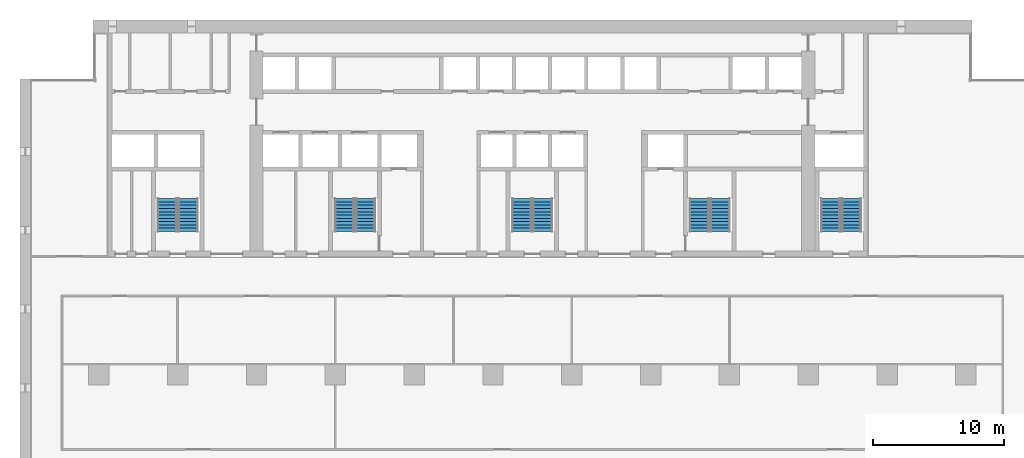
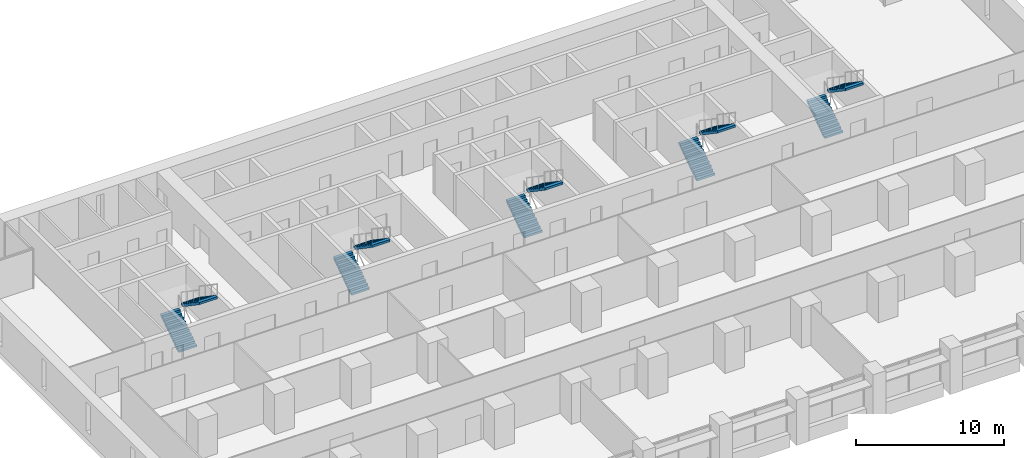
# One storey, part 14 of 17: 10 stair flights, 5 elements without a shape of their own.
"""IFC4 building model written with IfcOpenShell, lengths in metres."""

from ifc_helpers import new_model, si_unit, direction, frame, origin, place, context, subcontext, project, spatial, polyline, outline, extrude, material, type_object, element, aggregate, save


model = new_model("IFC4")

# Units and contexts
model_context = context("Model", 3, precision=1e-05, world=origin(), true_north=direction((0.0, 1.0)))
body_context = subcontext(model_context, "Body", "Model", "MODEL_VIEW")
ifc_project = project(units=[si_unit("LENGTHUNIT", "METRE"), si_unit("AREAUNIT", "SQUARE_METRE"), si_unit("VOLUMEUNIT", "CUBIC_METRE"), si_unit("PLANEANGLEUNIT", "RADIAN"), si_unit("MASSUNIT", "GRAM", prefix="KILO")], contexts=[model_context])

# Site, building, storey
site_placement = place(None, origin())
site = spatial("IfcSite", under=ifc_project, at=site_placement, CompositionType="ELEMENT")
building_placement = place(site_placement, origin())
building = spatial("IfcBuilding", under=site, at=building_placement, Name="Calvaro Tower", CompositionType="ELEMENT")
storey_placement = place(building_placement, frame((0.0, 0.0, 71.25)))
storey = spatial("IfcBuildingStorey", under=building, at=storey_placement, Name="L17", CompositionType="ELEMENT", Elevation=71.25)

# Stair, stair flights
ifc_material_1 = material(Name="Concrete C40/50", Category="concrete")
stair_type = type_object("IfcStairType", Name="Exit stair 1400 2 flights", PredefinedType="HALF_TURN_STAIR", material=ifc_material_1)
stair_1_placement = place(storey_placement, origin())
stair_1 = element("IfcStair", 1, at=stair_1_placement, inside=storey, type_object=stair_type, Name="Exit stair S1", PredefinedType="HALF_TURN_STAIR")
ifc_material_2 = material(Name="Concrete C40/50", Category="concrete")
stair_flight_type = type_object("IfcStairFlightType", Name="Stair flight", PredefinedType="STRAIGHT", material=ifc_material_2)
stair_flight_1_placement = place(storey_placement, frame((11.199951171875, 29.89990234375, 0.0), z_axis=(0.0, 0.0, 1.0), x_axis=(0.0, 1.0, 0.0)))
stair_flight_1 = element("IfcStairFlight", 2, at=stair_flight_1_placement, type_object=stair_flight_type, Name="Exit stair 1, flight 1", NumberOfRisers=11, NumberOfTreads=10, PredefinedType="STRAIGHT", RiserHeight=0.170454545, TreadLength=0.25, context=body_context, shape_type="SweptSolid", body=[
    extrude(outline(polyline([(0.0, 0.0), (0.0, 0.17041015625), (0.25, 0.17041015625), (0.25, 0.3408203125), (0.5, 0.3408203125), (0.5, 0.511474609375), (0.75, 0.511474609375), (0.75, 0.681884765625), (1.0, 0.681884765625), (1.0, 0.852294921875), (1.25, 0.852294921875), (1.25, 1.022705078125), (1.5, 1.022705078125), (1.5, 1.193115234375), (1.75, 1.193115234375), (1.75, 1.363525390625), (2.0, 1.363525390625), (2.0, 1.5341796875), (2.25, 1.5341796875), (2.25, 1.70458984375), (2.5, 1.70458984375), (2.5, 1.875), (2.5, 1.523193359375), (0.26611328125, 0.0), (0.0, 0.0)])), frame((0.0, 0.699951171875, 0.0), z_axis=(0.0, -1.0, 0.0), x_axis=(1.0, 0.0, 0.0)), (0.0, 0.0, 1.0), 1.39990234375),
])
stair_flight_2_placement = place(storey_placement, frame((12.800048828125, 32.39990234375, 1.875), z_axis=(0.0, 0.0, 1.0), x_axis=(0.0, -1.0, 0.0)))
stair_flight_2 = element("IfcStairFlight", 3, at=stair_flight_2_placement, type_object=stair_flight_type, Name="Exit stair 1, flight 2", NumberOfRisers=11, NumberOfTreads=10, PredefinedType="STRAIGHT", RiserHeight=0.170454545, TreadLength=0.25, context=body_context, shape_type="SweptSolid", body=[
    extrude(outline(polyline([(0.0, 0.0), (0.0, 0.17041015625), (0.25, 0.17041015625), (0.25, 0.3408203125), (0.5, 0.3408203125), (0.5, 0.511474609375), (0.75, 0.511474609375), (0.75, 0.681884765625), (1.0, 0.681884765625), (1.0, 0.852294921875), (1.25, 0.852294921875), (1.25, 1.022705078125), (1.5, 1.022705078125), (1.5, 1.193115234375), (1.75, 1.193115234375), (1.75, 1.363525390625), (2.0, 1.363525390625), (2.0, 1.5341796875), (2.25, 1.5341796875), (2.25, 1.70458984375), (2.5, 1.70458984375), (2.5, 1.875), (2.5, 1.523193359375), (0.26611328125, 0.0), (0.0, 0.0)])), frame((0.0, 0.699951171875, 0.0), z_axis=(0.0, -1.0, 0.0), x_axis=(1.0, 0.0, 0.0)), (0.0, 0.0, 1.0), 1.39990234375),
])
aggregate(stair_1, [stair_flight_1, stair_flight_2])

stair_2_placement = place(storey_placement, origin())
stair_2 = element("IfcStair", 4, at=stair_2_placement, inside=storey, type_object=stair_type, Name="Exit stair S2", PredefinedType="HALF_TURN_STAIR")
stair_flight_3_placement = place(storey_placement, frame((24.699951171875, 29.89990234375, 0.0), z_axis=(0.0, 0.0, 1.0), x_axis=(0.0, 1.0, 0.0)))
stair_flight_3 = element("IfcStairFlight", 5, at=stair_flight_3_placement, type_object=stair_flight_type, Name="Exit stair 2, flight 1", NumberOfRisers=11, NumberOfTreads=10, PredefinedType="STRAIGHT", RiserHeight=0.170454545, TreadLength=0.25, context=body_context, shape_type="SweptSolid", body=[
    extrude(outline(polyline([(0.0, 0.0), (0.0, 0.17041015625), (0.25, 0.17041015625), (0.25, 0.3408203125), (0.5, 0.3408203125), (0.5, 0.511474609375), (0.75, 0.511474609375), (0.75, 0.681884765625), (1.0, 0.681884765625), (1.0, 0.852294921875), (1.25, 0.852294921875), (1.25, 1.022705078125), (1.5, 1.022705078125), (1.5, 1.193115234375), (1.75, 1.193115234375), (1.75, 1.363525390625), (2.0, 1.363525390625), (2.0, 1.5341796875), (2.25, 1.5341796875), (2.25, 1.70458984375), (2.5, 1.70458984375), (2.5, 1.875), (2.5, 1.523193359375), (0.26611328125, 0.0), (0.0, 0.0)])), frame((0.0, 0.699951171875, 0.0), z_axis=(0.0, -1.0, 0.0), x_axis=(1.0, 0.0, 0.0)), (0.0, 0.0, 1.0), 1.39990234375),
])
stair_flight_4_placement = place(storey_placement, frame((26.300048828125, 32.39990234375, 1.875), z_axis=(0.0, 0.0, 1.0), x_axis=(0.0, -1.0, 0.0)))
stair_flight_4 = element("IfcStairFlight", 6, at=stair_flight_4_placement, type_object=stair_flight_type, Name="Exit stair 2, flight 2", NumberOfRisers=11, NumberOfTreads=10, PredefinedType="STRAIGHT", RiserHeight=0.170454545, TreadLength=0.25, context=body_context, shape_type="SweptSolid", body=[
    extrude(outline(polyline([(0.0, 0.0), (0.0, 0.17041015625), (0.25, 0.17041015625), (0.25, 0.3408203125), (0.5, 0.3408203125), (0.5, 0.511474609375), (0.75, 0.511474609375), (0.75, 0.681884765625), (1.0, 0.681884765625), (1.0, 0.852294921875), (1.25, 0.852294921875), (1.25, 1.022705078125), (1.5, 1.022705078125), (1.5, 1.193115234375), (1.75, 1.193115234375), (1.75, 1.363525390625), (2.0, 1.363525390625), (2.0, 1.5341796875), (2.25, 1.5341796875), (2.25, 1.70458984375), (2.5, 1.70458984375), (2.5, 1.875), (2.5, 1.523193359375), (0.26611328125, 0.0), (0.0, 0.0)])), frame((0.0, 0.699951171875, 0.0), z_axis=(0.0, -1.0, 0.0), x_axis=(1.0, 0.0, 0.0)), (0.0, 0.0, 1.0), 1.39990234375),
])
aggregate(stair_2, [stair_flight_3, stair_flight_4])

stair_3_placement = place(storey_placement, origin())
stair_3 = element("IfcStair", 7, at=stair_3_placement, inside=storey, type_object=stair_type, Name="Exit stair S3", PredefinedType="HALF_TURN_STAIR")
stair_flight_5_placement = place(storey_placement, frame((38.199951171875, 29.89990234375, 0.0), z_axis=(0.0, 0.0, 1.0), x_axis=(0.0, 1.0, 0.0)))
stair_flight_5 = element("IfcStairFlight", 8, at=stair_flight_5_placement, type_object=stair_flight_type, Name="Exit stair 3, flight 1", NumberOfRisers=11, NumberOfTreads=10, PredefinedType="STRAIGHT", RiserHeight=0.170454545, TreadLength=0.25, context=body_context, shape_type="SweptSolid", body=[
    extrude(outline(polyline([(0.0, 0.0), (0.0, 0.17041015625), (0.25, 0.17041015625), (0.25, 0.3408203125), (0.5, 0.3408203125), (0.5, 0.511474609375), (0.75, 0.511474609375), (0.75, 0.681884765625), (1.0, 0.681884765625), (1.0, 0.852294921875), (1.25, 0.852294921875), (1.25, 1.022705078125), (1.5, 1.022705078125), (1.5, 1.193115234375), (1.75, 1.193115234375), (1.75, 1.363525390625), (2.0, 1.363525390625), (2.0, 1.5341796875), (2.25, 1.5341796875), (2.25, 1.70458984375), (2.5, 1.70458984375), (2.5, 1.875), (2.5, 1.523193359375), (0.26611328125, 0.0), (0.0, 0.0)])), frame((0.0, 0.699951171875, 0.0), z_axis=(0.0, -1.0, 0.0), x_axis=(1.0, 0.0, 0.0)), (0.0, 0.0, 1.0), 1.39990234375),
])
stair_flight_6_placement = place(storey_placement, frame((39.800048828125, 32.39990234375, 1.875), z_axis=(0.0, 0.0, 1.0), x_axis=(0.0, -1.0, 0.0)))
stair_flight_6 = element("IfcStairFlight", 9, at=stair_flight_6_placement, type_object=stair_flight_type, Name="Exit stair 3, flight 2", NumberOfRisers=11, NumberOfTreads=10, PredefinedType="STRAIGHT", RiserHeight=0.170454545, TreadLength=0.25, context=body_context, shape_type="SweptSolid", body=[
    extrude(outline(polyline([(0.0, 0.0), (0.0, 0.17041015625), (0.25, 0.17041015625), (0.25, 0.3408203125), (0.5, 0.3408203125), (0.5, 0.511474609375), (0.75, 0.511474609375), (0.75, 0.681884765625), (1.0, 0.681884765625), (1.0, 0.852294921875), (1.25, 0.852294921875), (1.25, 1.022705078125), (1.5, 1.022705078125), (1.5, 1.193115234375), (1.75, 1.193115234375), (1.75, 1.363525390625), (2.0, 1.363525390625), (2.0, 1.5341796875), (2.25, 1.5341796875), (2.25, 1.70458984375), (2.5, 1.70458984375), (2.5, 1.875), (2.5, 1.523193359375), (0.26611328125, 0.0), (0.0, 0.0)])), frame((0.0, 0.699951171875, 0.0), z_axis=(0.0, -1.0, 0.0), x_axis=(1.0, 0.0, 0.0)), (0.0, 0.0, 1.0), 1.39990234375),
])
aggregate(stair_3, [stair_flight_5, stair_flight_6])

stair_4_placement = place(storey_placement, origin())
stair_4 = element("IfcStair", 10, at=stair_4_placement, inside=storey, type_object=stair_type, Name="Exit stair S4", PredefinedType="HALF_TURN_STAIR")
stair_flight_7_placement = place(storey_placement, frame((51.699951171875, 29.89990234375, 0.0), z_axis=(0.0, 0.0, 1.0), x_axis=(0.0, 1.0, 0.0)))
stair_flight_7 = element("IfcStairFlight", 11, at=stair_flight_7_placement, type_object=stair_flight_type, Name="Exit stair 4, flight 1", NumberOfRisers=11, NumberOfTreads=10, PredefinedType="STRAIGHT", RiserHeight=0.170454545, TreadLength=0.25, context=body_context, shape_type="SweptSolid", body=[
    extrude(outline(polyline([(0.0, 0.0), (0.0, 0.17041015625), (0.25, 0.17041015625), (0.25, 0.3408203125), (0.5, 0.3408203125), (0.5, 0.511474609375), (0.75, 0.511474609375), (0.75, 0.681884765625), (1.0, 0.681884765625), (1.0, 0.852294921875), (1.25, 0.852294921875), (1.25, 1.022705078125), (1.5, 1.022705078125), (1.5, 1.193115234375), (1.75, 1.193115234375), (1.75, 1.363525390625), (2.0, 1.363525390625), (2.0, 1.5341796875), (2.25, 1.5341796875), (2.25, 1.70458984375), (2.5, 1.70458984375), (2.5, 1.875), (2.5, 1.523193359375), (0.26611328125, 0.0), (0.0, 0.0)])), frame((0.0, 0.699951171875, 0.0), z_axis=(0.0, -1.0, 0.0), x_axis=(1.0, 0.0, 0.0)), (0.0, 0.0, 1.0), 1.39990234375),
])
stair_flight_8_placement = place(storey_placement, frame((53.300048828125, 32.39990234375, 1.875), z_axis=(0.0, 0.0, 1.0), x_axis=(0.0, -1.0, 0.0)))
stair_flight_8 = element("IfcStairFlight", 12, at=stair_flight_8_placement, type_object=stair_flight_type, Name="Exit stair 4, flight 2", NumberOfRisers=11, NumberOfTreads=10, PredefinedType="STRAIGHT", RiserHeight=0.170454545, TreadLength=0.25, context=body_context, shape_type="SweptSolid", body=[
    extrude(outline(polyline([(0.0, 0.0), (0.0, 0.17041015625), (0.25, 0.17041015625), (0.25, 0.3408203125), (0.5, 0.3408203125), (0.5, 0.511474609375), (0.75, 0.511474609375), (0.75, 0.681884765625), (1.0, 0.681884765625), (1.0, 0.852294921875), (1.25, 0.852294921875), (1.25, 1.022705078125), (1.5, 1.022705078125), (1.5, 1.193115234375), (1.75, 1.193115234375), (1.75, 1.363525390625), (2.0, 1.363525390625), (2.0, 1.5341796875), (2.25, 1.5341796875), (2.25, 1.70458984375), (2.5, 1.70458984375), (2.5, 1.875), (2.5, 1.523193359375), (0.26611328125, 0.0), (0.0, 0.0)])), frame((0.0, 0.699951171875, 0.0), z_axis=(0.0, -1.0, 0.0), x_axis=(1.0, 0.0, 0.0)), (0.0, 0.0, 1.0), 1.39990234375),
])
aggregate(stair_4, [stair_flight_7, stair_flight_8])

stair_5_placement = place(storey_placement, origin())
stair_5 = element("IfcStair", 13, at=stair_5_placement, inside=storey, type_object=stair_type, Name="Exit stair S5", PredefinedType="HALF_TURN_STAIR")
stair_flight_9_placement = place(storey_placement, frame((61.699951171875, 29.89990234375, 0.0), z_axis=(0.0, 0.0, 1.0), x_axis=(0.0, 1.0, 0.0)))
stair_flight_9 = element("IfcStairFlight", 14, at=stair_flight_9_placement, type_object=stair_flight_type, Name="Exit stair 5, flight 1", NumberOfRisers=11, NumberOfTreads=10, PredefinedType="STRAIGHT", RiserHeight=0.170454545, TreadLength=0.25, context=body_context, shape_type="SweptSolid", body=[
    extrude(outline(polyline([(0.0, 0.0), (0.0, 0.17041015625), (0.25, 0.17041015625), (0.25, 0.3408203125), (0.5, 0.3408203125), (0.5, 0.511474609375), (0.75, 0.511474609375), (0.75, 0.681884765625), (1.0, 0.681884765625), (1.0, 0.852294921875), (1.25, 0.852294921875), (1.25, 1.022705078125), (1.5, 1.022705078125), (1.5, 1.193115234375), (1.75, 1.193115234375), (1.75, 1.363525390625), (2.0, 1.363525390625), (2.0, 1.5341796875), (2.25, 1.5341796875), (2.25, 1.70458984375), (2.5, 1.70458984375), (2.5, 1.875), (2.5, 1.523193359375), (0.26611328125, 0.0), (0.0, 0.0)])), frame((0.0, 0.699951171875, 0.0), z_axis=(0.0, -1.0, 0.0), x_axis=(1.0, 0.0, 0.0)), (0.0, 0.0, 1.0), 1.39990234375),
])
stair_flight_10_placement = place(storey_placement, frame((63.300048828125, 32.39990234375, 1.875), z_axis=(0.0, 0.0, 1.0), x_axis=(0.0, -1.0, 0.0)))
stair_flight_10 = element("IfcStairFlight", 15, at=stair_flight_10_placement, type_object=stair_flight_type, Name="Exit stair 5, flight 2", NumberOfRisers=11, NumberOfTreads=10, PredefinedType="STRAIGHT", RiserHeight=0.170454545, TreadLength=0.25, context=body_context, shape_type="SweptSolid", body=[
    extrude(outline(polyline([(0.0, 0.0), (0.0, 0.17041015625), (0.25, 0.17041015625), (0.25, 0.3408203125), (0.5, 0.3408203125), (0.5, 0.511474609375), (0.75, 0.511474609375), (0.75, 0.681884765625), (1.0, 0.681884765625), (1.0, 0.852294921875), (1.25, 0.852294921875), (1.25, 1.022705078125), (1.5, 1.022705078125), (1.5, 1.193115234375), (1.75, 1.193115234375), (1.75, 1.363525390625), (2.0, 1.363525390625), (2.0, 1.5341796875), (2.25, 1.5341796875), (2.25, 1.70458984375), (2.5, 1.70458984375), (2.5, 1.875), (2.5, 1.523193359375), (0.26611328125, 0.0), (0.0, 0.0)])), frame((0.0, 0.699951171875, 0.0), z_axis=(0.0, -1.0, 0.0), x_axis=(1.0, 0.0, 0.0)), (0.0, 0.0, 1.0), 1.39990234375),
])
aggregate(stair_5, [stair_flight_9, stair_flight_10])

save(model, "model.ifc")
